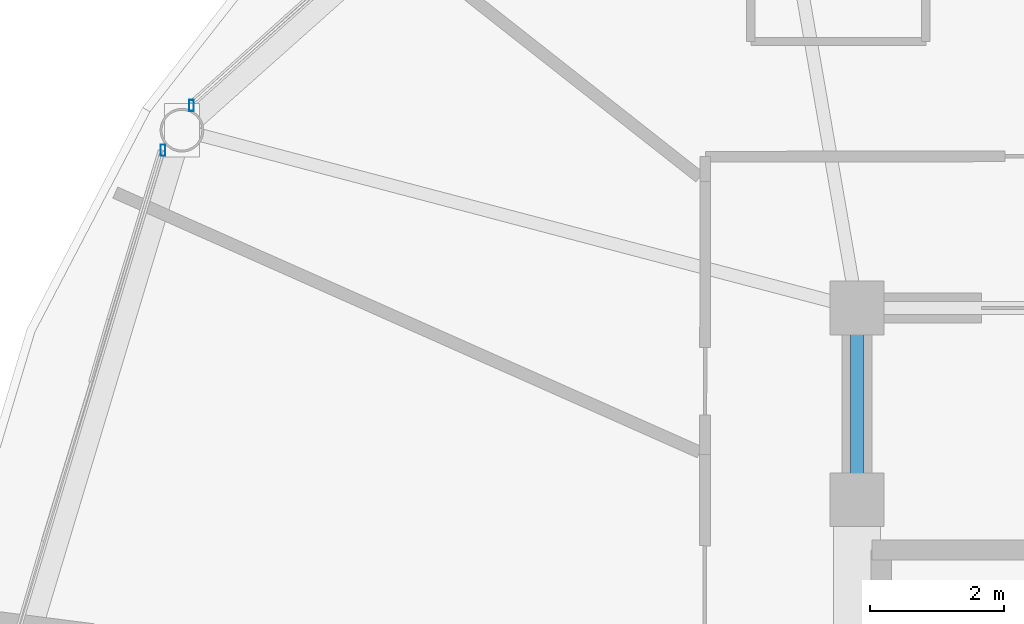
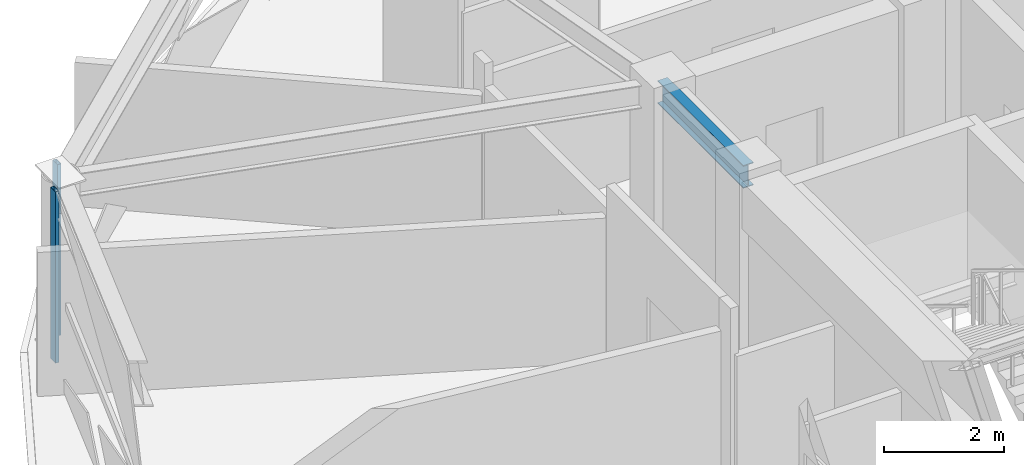
# One storey, part 9 of 30: 2 members, 1 beam, 2 elements without a shape of their own.
"""IFC4 building model written with IfcOpenShell, lengths in metres."""

from ifc_helpers import new_model, si_unit, direction, frame, origin, origin_2d, place, context, subcontext, project, spatial, hollow_rectangle, i_section, extrude, material, layer, layer_set, material_profile, profile_set, type_object, element, aggregate, save


model = new_model("IFC4")

# Units and contexts
model_context = context("Model", 3, precision=1e-05, world=origin(), true_north=direction((0.0, 1.0)))
body_context = subcontext(model_context, "Body", "Model", "MODEL_VIEW")
ifc_project = project(units=[si_unit("LENGTHUNIT", "METRE"), si_unit("AREAUNIT", "SQUARE_METRE"), si_unit("VOLUMEUNIT", "CUBIC_METRE"), si_unit("PLANEANGLEUNIT", "RADIAN"), si_unit("MASSUNIT", "GRAM", prefix="KILO")], contexts=[model_context])

# Site, building, storey
site_placement = place(None, origin())
site = spatial("IfcSite", under=ifc_project, at=site_placement, CompositionType="ELEMENT")
building_placement = place(site_placement, origin())
building = spatial("IfcBuilding", under=site, at=building_placement, Name="Vantalir Tower", CompositionType="ELEMENT")
storey_placement = place(building_placement, frame((0.0, 0.0, 186.14990234375)))
storey = spatial("IfcBuildingStorey", under=building, at=storey_placement, Name="L46", CompositionType="ELEMENT", Elevation=186.14990234375)

# Beam
ifc_material_1 = material(Name="Steel S355", Category="steel")
ifc_material_profile_1 = material_profile(ifc_material_1, i_section(OverallWidth=0.19189453125, OverallDepth=0.462890625, WebThickness=0.010498046875, FlangeThickness=0.017578125, at=origin_2d()), Name="Steel S355")
ifc_profile_set_1 = profile_set([ifc_material_profile_1], Name="Steel S355")
beam_type = type_object("IfcBeamType", Name="BM-RB-457x191", PredefinedType="BEAM", material=ifc_profile_set_1)
beam_placement = place(storey_placement, frame((21.89990234375, 32.449951171875, 3.338134765625), z_axis=(0.0, -1.0, 0.0), x_axis=(1.0, 0.0, 0.0)))
element("IfcBeam", 1, at=beam_placement, inside=storey, type_object=beam_type, Name="L46 Core Coupling Girder 12", PredefinedType="BEAM", context=body_context, shape_type="SweptSolid", body=[
    extrude(i_section(OverallWidth=0.19189453125, OverallDepth=0.462890625, WebThickness=0.010498046875, FlangeThickness=0.017578125, at=origin_2d()), origin(), (0.0, 0.0, 1.0), 2.849853515625),
])

# Curtain wall, member
ifc_material_2 = material(Name="Champagne-silver PVDF aluminium and double-silver Low-E glass", Category="aluminium")
ifc_layer = layer(ifc_material_2, 0.2099609375)
ifc_layer_set = layer_set([ifc_layer], Name="Champagne-silver PVDF aluminium and double-silver Low-E glass")
curtain_wall_type = type_object("IfcCurtainWallType", Name="CW-DIAMOND-Z3", PredefinedType="USERDEFINED", material=ifc_layer_set)
curtain_wall_1_placement = place(storey_placement, origin())
curtain_wall_1 = element("IfcCurtainWall", 2, at=curtain_wall_1_placement, inside=storey, type_object=curtain_wall_type, Name="L46 Quilted Pyramid-Diamond Curtain Wall S05", ObjectType="UNITISED CURTAIN WALL", PredefinedType="USERDEFINED")
ifc_material_3 = material(Name="Champagne-silver PVDF aluminium 6063-T6", Category="aluminium")
ifc_material_profile_2 = material_profile(ifc_material_3, hollow_rectangle(XDim=0.070068359375, YDim=0.1650390625, WallThickness=0.00390625, at=origin_2d()), Name="Champagne-silver PVDF aluminium 6063-T6")
ifc_profile_set_2 = profile_set([ifc_material_profile_2], Name="Champagne-silver PVDF aluminium 6063-T6")
member_type = type_object("IfcMemberType", Name="CWM-165x70", PredefinedType="MULLION", material=ifc_profile_set_2)
member_1_placement = place(storey_placement, frame((12.0029296875, 35.4619140625, 0.045166015625), z_axis=(0.0, 0.0, 1.0), x_axis=(1.0, 0.0, 0.0)))
member_1 = element("IfcMember", 3, at=member_1_placement, type_object=member_type, Name="CW-L46-S05 Mullion 2", PredefinedType="MULLION", context=body_context, shape_type="SweptSolid", body=[
    extrude(hollow_rectangle(XDim=0.070068359375, YDim=0.1650390625, WallThickness=0.00390625, at=origin_2d()), origin(), (0.0, 0.0, 1.0), 3.47998046875),
])
aggregate(curtain_wall_1, [member_1])

curtain_wall_2_placement = place(storey_placement, origin())
curtain_wall_2 = element("IfcCurtainWall", 4, at=curtain_wall_2_placement, inside=storey, type_object=curtain_wall_type, Name="L46 Quilted Pyramid-Diamond Curtain Wall S06", ObjectType="UNITISED CURTAIN WALL", PredefinedType="USERDEFINED")
member_2_placement = place(storey_placement, frame((11.5791015625, 34.7958984375, 0.045166015625), z_axis=(0.0, 0.0, 1.0), x_axis=(1.0, 0.0, 0.0)))
member_2 = element("IfcMember", 5, at=member_2_placement, type_object=member_type, Name="CW-L46-S06 Mullion 1", PredefinedType="MULLION", context=body_context, shape_type="SweptSolid", body=[
    extrude(hollow_rectangle(XDim=0.070068359375, YDim=0.1650390625, WallThickness=0.00390625, at=origin_2d()), origin(), (0.0, 0.0, 1.0), 3.47998046875),
])
aggregate(curtain_wall_2, [member_2])

save(model, "model.ifc")
